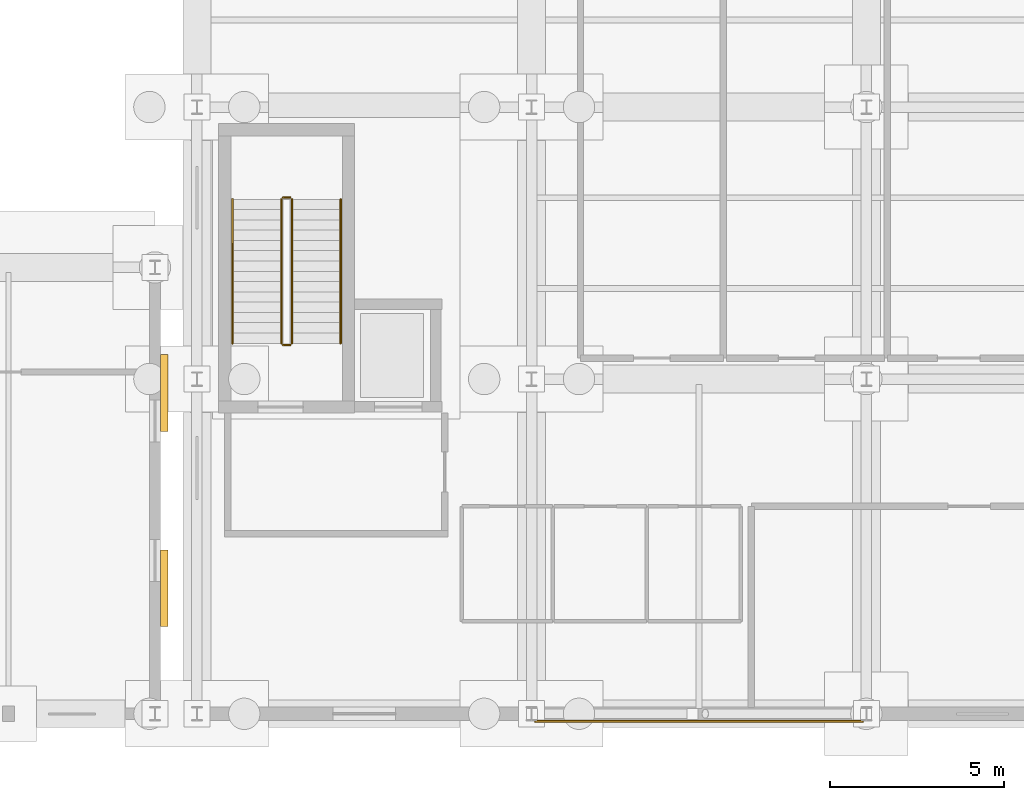
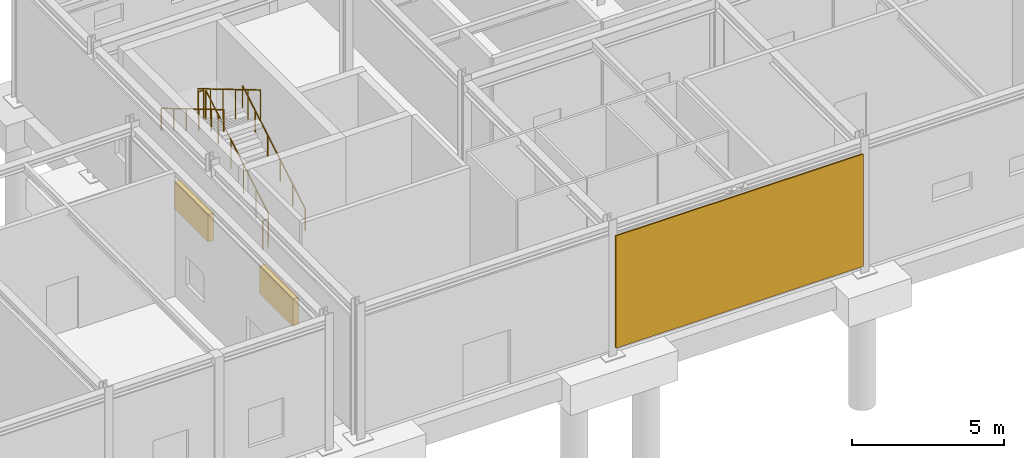
# One storey, part 108 of 109: 6 railings, 2 shading devices, 1 covering.
"""IFC4 building model written with IfcOpenShell, lengths in metres."""

from ifc_helpers import new_model, si_unit, direction, frame, origin, origin_2d, place, context, subcontext, project, spatial, rectangle, circle, extrude, material, layer, layer_set, type_object, element, save


model = new_model("IFC4")

# Units and contexts
model_context = context("Model", 3, precision=1e-05, world=origin(), true_north=direction((0.0, 1.0)))
body_context = subcontext(model_context, "Body", "Model", "MODEL_VIEW")
ifc_project = project(units=[si_unit("LENGTHUNIT", "METRE"), si_unit("AREAUNIT", "SQUARE_METRE"), si_unit("VOLUMEUNIT", "CUBIC_METRE"), si_unit("PLANEANGLEUNIT", "RADIAN"), si_unit("MASSUNIT", "GRAM", prefix="KILO")], contexts=[model_context])

# Site, building, storey
site_placement = place(None, origin())
site = spatial("IfcSite", under=ifc_project, at=site_placement, CompositionType="ELEMENT")
building_placement = place(site_placement, origin())
building = spatial("IfcBuilding", under=site, at=building_placement, Name="Nordkorset Police Headquarters", CompositionType="ELEMENT")
storey_placement = place(building_placement, origin())
storey = spatial("IfcBuildingStorey", under=building, at=storey_placement, Name="L00", CompositionType="ELEMENT", Elevation=0.0)

# Covering
ifc_material_1 = material(Name="Nordic granite cladding", Category="masonry")
ifc_layer_1 = layer(ifc_material_1, 0.050048828125, Name="Nordic granite cladding")
ifc_layer_set_1 = layer_set([ifc_layer_1], Name="Nordic granite cladding")
covering_type = type_object("IfcCoveringType", Name="Cladding_Nordic_Granite", PredefinedType="CLADDING", material=ifc_layer_set_1)
covering_placement = place(storey_placement, frame((140.800048828125, -0.215087890625, 0.074951171875), z_axis=(0.0, 0.0, 1.0), x_axis=(1.0, 0.0, 0.0)))
element("IfcCovering", 1, at=covering_placement, inside=storey, type_object=covering_type, Name="Nordic Granite Rainscreen Cladding L00 V6S-1", PredefinedType="CLADDING", context=body_context, shape_type="SweptSolid", body=[
    extrude(rectangle(XDim=9.4326171875, YDim=0.050048828125, at=origin_2d()), origin(), (0.0, 0.0, 1.0), 4.52001953125),
])

# Shading devices
ifc_material_2 = material(Name="Aluminium alloy AW-6060", Category="aluminium")
shading_device_type = type_object("IfcShadingDeviceType", Name="Louvre_Acoustic_Alu", PredefinedType="USERDEFINED", material=ifc_material_2)
for number, where, z_axis, x_axis, name in (
    (2, (125.469970703125, 3.60009765625, 3.050048828125), (0.0, 0.0, 1.0), (1.0, 0.0, 0.0), "Plinth Technical Acoustic Louvre 07"),
    (3, (125.469970703125, 9.199951171875, 3.050048828125), (0.0, 0.0, 1.0), (1.0, 0.0, 0.0), "Plinth Technical Acoustic Louvre 08"),
):
    element("IfcShadingDevice", number, at=place(storey_placement, frame(where, z_axis=z_axis, x_axis=x_axis)), inside=storey, type_object=shading_device_type, Name=name, ObjectType="ACOUSTIC LOUVRE", PredefinedType="USERDEFINED", context=body_context, shape_type="SweptSolid", body=[
        extrude(rectangle(XDim=0.219970703125, YDim=2.199951171875, at=origin_2d()), origin(), (0.0, 0.0, 1.0), 1.10009765625),
    ])

# Railings
ifc_material_3 = material(Name="Steel S355J2", Category="steel")
ifc_layer_2 = layer(ifc_material_3, 0.048095703125, Name="Steel S355J2")
ifc_layer_set_2 = layer_set([ifc_layer_2], Name="Steel S355J2")
railing_type_1 = type_object("IfcRailingType", Name="Railing_Handrail_900", PredefinedType="HANDRAIL", material=ifc_layer_set_2)
railing_1_placement = place(storey_placement, frame((130.52490234375, 10.625, 0.175048828125)))
element("IfcRailing", 4, at=railing_1_placement, inside=storey, type_object=railing_type_1, Name="L00 ST-06 stair handrail 1", PredefinedType="HANDRAIL", context=body_context, shape_type="SweptSolid", body=[
    extrude(circle(Radius=0.02392578125, at=origin_2d()), frame((0.0, 0.0, 0.8759765625), z_axis=(0.0, 0.860052763207, 0.510205100425), x_axis=(-1.0, 0.0, 0.0)), (0.0, 0.0, 1.0), 4.802001953125),
    extrude(circle(Radius=0.02099609375, at=origin_2d()), origin(), (0.0, 0.0, 1.0), 0.851806640625),
    extrude(circle(Radius=0.02099609375, at=origin_2d()), frame((0.0, 0.825927734375, 0.489990234375)), (0.0, 0.0, 1.0), 0.851806640625),
    extrude(circle(Radius=0.02099609375, at=origin_2d()), frame((0.0, 1.65185546875, 0.97998046875)), (0.0, 0.0, 1.0), 0.851806640625),
    extrude(circle(Radius=0.02099609375, at=origin_2d()), frame((0.0, 2.47802734375, 1.469970703125)), (0.0, 0.0, 1.0), 0.851806640625),
    extrude(circle(Radius=0.02099609375, at=origin_2d()), frame((0.0, 3.303955078125, 1.9599609375)), (0.0, 0.0, 1.0), 0.851806640625),
    extrude(circle(Radius=0.02099609375, at=origin_2d()), frame((0.0, 4.1298828125, 2.449951171875)), (0.0, 0.0, 1.0), 0.851806640625),
])
railing_2_placement = place(storey_placement, frame((127.425048828125, 14.7548828125, 2.800048828125)))
element("IfcRailing", 5, at=railing_2_placement, inside=storey, type_object=railing_type_1, Name="L00 ST-06 stair handrail 2", PredefinedType="HANDRAIL", context=body_context, shape_type="SweptSolid", body=[
    extrude(circle(Radius=0.02392578125, at=origin_2d()), frame((0.0, 0.0, 0.8759765625), z_axis=(0.0, -0.860052763207, 0.510205100425), x_axis=(1.0, 0.0, 0.0)), (0.0, 0.0, 1.0), 4.802001953125),
    extrude(circle(Radius=0.02099609375, at=origin_2d()), origin(), (0.0, 0.0, 1.0), 0.851806640625),
    extrude(circle(Radius=0.02099609375, at=origin_2d()), frame((0.0, -0.825927734375, 0.489990234375)), (0.0, 0.0, 1.0), 0.851806640625),
    extrude(circle(Radius=0.02099609375, at=origin_2d()), frame((0.0, -1.65185546875, 0.97998046875)), (0.0, 0.0, 1.0), 0.851806640625),
    extrude(circle(Radius=0.02099609375, at=origin_2d()), frame((0.0, -2.47802734375, 1.469970703125)), (0.0, 0.0, 1.0), 0.851806640625),
    extrude(circle(Radius=0.02099609375, at=origin_2d()), frame((0.0, -3.303955078125, 1.9599609375)), (0.0, 0.0, 1.0), 0.851806640625),
    extrude(circle(Radius=0.02099609375, at=origin_2d()), frame((0.0, -4.1298828125, 2.449951171875)), (0.0, 0.0, 1.0), 0.851806640625),
])
ifc_material_4 = material(Name="Steel S355J2", Category="steel")
ifc_layer_3 = layer(ifc_material_4, 0.050048828125, Name="Steel S355J2")
ifc_layer_set_3 = layer_set([ifc_layer_3], Name="Steel S355J2")
railing_type_2 = type_object("IfcRailingType", Name="Railing_StairGuard_1200", PredefinedType="GUARDRAIL", material=ifc_layer_set_3)
railing_3_placement = place(storey_placement, frame((129.125, 10.625, 0.175048828125)))
element("IfcRailing", 6, at=railing_3_placement, inside=storey, type_object=railing_type_2, Name="L00 ST-06 stair guard 1", PredefinedType="GUARDRAIL", context=body_context, shape_type="SweptSolid", body=[
    extrude(circle(Radius=0.02392578125, at=origin_2d()), frame((0.0, 0.0, 1.17578125), z_axis=(0.0, 0.860052763207, 0.510205100425), x_axis=(-1.0, 0.0, 0.0)), (0.0, 0.0, 1.0), 4.802001953125),
    extrude(circle(Radius=0.02099609375, at=origin_2d()), origin(), (0.0, 0.0, 1.0), 1.15185546875),
    extrude(circle(Radius=0.02099609375, at=origin_2d()), frame((0.0, 0.825927734375, 0.489990234375)), (0.0, 0.0, 1.0), 1.15185546875),
    extrude(circle(Radius=0.02099609375, at=origin_2d()), frame((0.0, 1.65185546875, 0.97998046875)), (0.0, 0.0, 1.0), 1.15185546875),
    extrude(circle(Radius=0.02099609375, at=origin_2d()), frame((0.0, 2.47802734375, 1.469970703125)), (0.0, 0.0, 1.0), 1.15185546875),
    extrude(circle(Radius=0.02099609375, at=origin_2d()), frame((0.0, 3.303955078125, 1.9599609375)), (0.0, 0.0, 1.0), 1.15185546875),
    extrude(circle(Radius=0.02099609375, at=origin_2d()), frame((0.0, 4.1298828125, 2.449951171875)), (0.0, 0.0, 1.0), 1.15185546875),
])
railing_4_placement = place(storey_placement, frame((129.074951171875, 14.804931640625, 2.625)))
element("IfcRailing", 7, at=railing_4_placement, inside=storey, type_object=railing_type_2, Name="L00 ST-06 stair guard 2", PredefinedType="GUARDRAIL", context=body_context, shape_type="SweptSolid", body=[
    extrude(circle(Radius=0.02392578125, at=origin_2d()), frame((0.0, 0.0, 1.17578125), z_axis=(-1.0, 0.0, 0.0), x_axis=(0.0, -1.0, 0.0)), (0.0, 0.0, 1.0), 0.199951171875),
    extrude(circle(Radius=0.02099609375, at=origin_2d()), origin(), (0.0, 0.0, 1.0), 1.15185546875),
    extrude(circle(Radius=0.02099609375, at=origin_2d()), frame((-0.199951171875, 0.0, 0.0)), (0.0, 0.0, 1.0), 1.15185546875),
])
railing_5_placement = place(storey_placement, frame((128.824951171875, 14.7548828125, 2.800048828125)))
element("IfcRailing", 8, at=railing_5_placement, inside=storey, type_object=railing_type_2, Name="L00 ST-06 stair guard 3", PredefinedType="GUARDRAIL", context=body_context, shape_type="SweptSolid", body=[
    extrude(circle(Radius=0.02392578125, at=origin_2d()), frame((0.0, 0.0, 1.17578125), z_axis=(0.0, -0.860052763207, 0.510205100425), x_axis=(1.0, 0.0, 0.0)), (0.0, 0.0, 1.0), 4.802001953125),
    extrude(circle(Radius=0.02099609375, at=origin_2d()), origin(), (0.0, 0.0, 1.0), 1.15185546875),
    extrude(circle(Radius=0.02099609375, at=origin_2d()), frame((0.0, -0.825927734375, 0.489990234375)), (0.0, 0.0, 1.0), 1.15185546875),
    extrude(circle(Radius=0.02099609375, at=origin_2d()), frame((0.0, -1.65185546875, 0.97998046875)), (0.0, 0.0, 1.0), 1.15185546875),
    extrude(circle(Radius=0.02099609375, at=origin_2d()), frame((0.0, -2.47802734375, 1.469970703125)), (0.0, 0.0, 1.0), 1.15185546875),
    extrude(circle(Radius=0.02099609375, at=origin_2d()), frame((0.0, -3.303955078125, 1.9599609375)), (0.0, 0.0, 1.0), 1.15185546875),
    extrude(circle(Radius=0.02099609375, at=origin_2d()), frame((0.0, -4.1298828125, 2.449951171875)), (0.0, 0.0, 1.0), 1.15185546875),
])
railing_6_placement = place(storey_placement, frame((129.074951171875, 10.574951171875, 0.0)))
element("IfcRailing", 9, at=railing_6_placement, inside=storey, type_object=railing_type_2, Name="L00 ST-06 stair guard 4", PredefinedType="GUARDRAIL", context=body_context, shape_type="SweptSolid", body=[
    extrude(circle(Radius=0.02392578125, at=origin_2d()), frame((0.0, 0.0, 1.17578125), z_axis=(-1.0, 0.0, 0.0), x_axis=(0.0, -1.0, 0.0)), (0.0, 0.0, 1.0), 0.199951171875),
    extrude(circle(Radius=0.02099609375, at=origin_2d()), origin(), (0.0, 0.0, 1.0), 1.15185546875),
    extrude(circle(Radius=0.02099609375, at=origin_2d()), frame((-0.199951171875, 0.0, 0.0)), (0.0, 0.0, 1.0), 1.15185546875),
])

save(model, "model.ifc")
